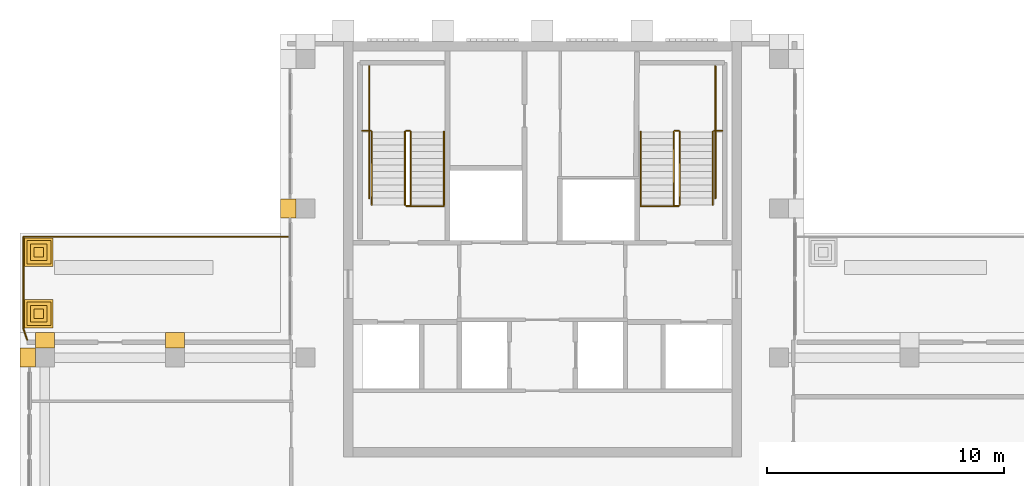
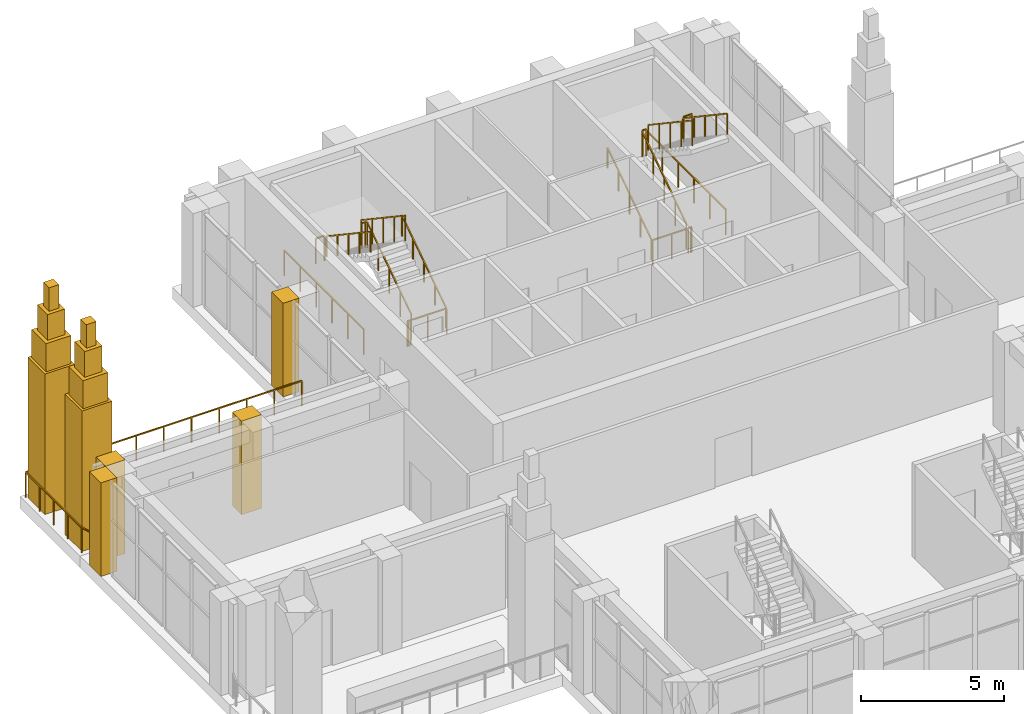
# One storey, part 12 of 14: 19 railings, 12 coverings.
"""IFC4 building model written with IfcOpenShell, lengths in metres."""

import ifcopenshell
import ifcopenshell.guid

model = None  # the IFC model being written
_history = None  # IfcOwnerHistory: only IFC2X3 demands one
_inside = {}  # id of a spatial element -> (the spatial element, [elements in it])
_under = {}  # id of a project, library or spatial element -> (it, [spatial elements below it])
_declared = {}  # id of a project -> (the project, [libraries it declares])
_typed = {}  # id of a type object -> (the type object, [elements of that type])
_made_of = {}  # id of a material, layer set ... -> (it, [elements and type objects made of it])


def new_model(schema):
    """Start an empty IFC model of exactly this schema.

    Asked for "IFC4X3", IfcOpenShell would pick the latest addendum, in which some entities
    have other attributes; the version numbers below select the first issue.
    IFC2X3 requires an IfcOwnerHistory on every rooted entity: one is made here for all.
    """
    global model, _history
    if schema == "IFC4X3":
        model = ifcopenshell.file(schema_version=(4, 3, 0, 0))
    else:
        model = ifcopenshell.file(schema=schema)
    _inside.clear()
    _under.clear()
    _declared.clear()
    _typed.clear()
    _made_of.clear()
    _history = None
    if model.schema == "IFC2X3":
        org = make("IfcOrganization", Name="unknown")
        user = make(
            "IfcPersonAndOrganization",
            ThePerson=make("IfcPerson", FamilyName="unknown"),
            TheOrganization=org,
        )
        app = make(
            "IfcApplication",
            ApplicationDeveloper=org,
            Version="unknown",
            ApplicationFullName="unknown",
            ApplicationIdentifier="unknown",
        )
        _history = make(
            "IfcOwnerHistory",
            OwningUser=user,
            OwningApplication=app,
            ChangeAction="ADDED",
            CreationDate=0,
        )
    return model


def make(cls, **values):
    """One entity of the class cls with the attributes given. An attribute that is None is left unset."""
    return model.create_entity(
        cls, **{name: value for name, value in values.items() if value is not None}
    )


def rooted(cls, **values):
    """An entity with a GlobalId (a new one), such as an element, a storey or a relation."""
    return make(cls, GlobalId=ifcopenshell.guid.new(), OwnerHistory=_history, **values)


def si_unit(unit_type, name, prefix=None):
    """IfcSIUnit, for example si_unit("LENGTHUNIT", "METRE", prefix="MILLI")."""
    return make("IfcSIUnit", UnitType=unit_type, Prefix=prefix, Name=name)


def assignment(units):
    """IfcUnitAssignment: the units of a project."""
    return None if units is None else make("IfcUnitAssignment", Units=units)


def point(xyz):
    """IfcCartesianPoint."""
    return None if xyz is None else make("IfcCartesianPoint", Coordinates=xyz)


def direction(xyz):
    """IfcDirection."""
    return None if xyz is None else make("IfcDirection", DirectionRatios=xyz)


def frame(location, z_axis=None, x_axis=None):
    """IfcAxis2Placement3D, a coordinate frame: its origin and axes. An axis left out is left unset."""
    return make(
        "IfcAxis2Placement3D",
        Location=point(location),
        Axis=direction(z_axis),
        RefDirection=direction(x_axis),
    )


def frame_2d(location, x_axis=None):
    """IfcAxis2Placement2D, a coordinate frame in the plane: its origin and x axis."""
    return make(
        "IfcAxis2Placement2D", Location=point(location), RefDirection=direction(x_axis)
    )


def origin():
    """The frame at (0, 0, 0) with its axes left unset."""
    return frame((0.0, 0.0, 0.0))


def origin_2d():
    """The frame at (0, 0) in the plane with its x axis left unset."""
    return frame_2d((0.0, 0.0))


def place(relative_to, where):
    """IfcLocalPlacement: puts the frame where relative to a parent placement (None: the world)."""
    return make(
        "IfcLocalPlacement", PlacementRelTo=relative_to, RelativePlacement=where
    )


def context(
    kind, dimensions, precision=None, world=None, true_north=None, identifier=None
):
    """IfcGeometricRepresentationContext, for example the 3D "Model" context."""
    return make(
        "IfcGeometricRepresentationContext",
        ContextIdentifier=identifier,
        ContextType=kind,
        CoordinateSpaceDimension=dimensions,
        Precision=precision,
        WorldCoordinateSystem=world,
        TrueNorth=true_north,
    )


def subcontext(parent, identifier, kind, view, scale=None):
    """IfcGeometricRepresentationSubContext, for example "Body" below "Model"."""
    return make(
        "IfcGeometricRepresentationSubContext",
        ContextIdentifier=identifier,
        ContextType=kind,
        ParentContext=parent,
        TargetScale=scale,
        TargetView=view,
    )


def project(units=None, contexts=None):
    """IfcProject with its units and contexts."""
    return rooted(
        "IfcProject",
        Name="project",
        RepresentationContexts=contexts,
        UnitsInContext=assignment(units),
    )


def spatial(cls, under=None, at=None, **own):
    """A site, building, storey or space (cls), placed at a placement, below another one or the project."""
    s = rooted(cls, ObjectPlacement=at, **own)
    if under is not None:
        _under.setdefault(under.id(), (under, []))[1].append(s)
    return s


def polyline(points):
    """IfcPolyline through the points."""
    return make("IfcPolyline", Points=[point(p) for p in points])


def profile(cls, at=None, kind="AREA", **sizes):
    """A parametric profile (cls). Its sizes go by their IFC names, for example OverallWidth=200.0."""
    return make(cls, ProfileType=kind, Position=at, **sizes)


def rectangle(**sizes):
    """IfcRectangleProfileDef."""
    return profile("IfcRectangleProfileDef", **sizes)


def outline(outer, holes=None, kind="AREA"):
    """IfcArbitraryClosedProfileDef: a profile drawn as a closed curve; with holes, ...WithVoids."""
    if holes is None:
        return make("IfcArbitraryClosedProfileDef", ProfileType=kind, OuterCurve=outer)
    return make(
        "IfcArbitraryProfileDefWithVoids",
        ProfileType=kind,
        OuterCurve=outer,
        InnerCurves=holes,
    )


def extrude(swept, where, along, depth):
    """IfcExtrudedAreaSolid: the profile swept, set in the frame where, extruded along a direction by depth."""
    return make(
        "IfcExtrudedAreaSolid",
        SweptArea=swept,
        Position=where,
        ExtrudedDirection=direction(along),
        Depth=depth,
    )


def shape(context_of_items, identifier, shape_type, items):
    """IfcShapeRepresentation: the items that make up one representation, for example the "Body"."""
    return make(
        "IfcShapeRepresentation",
        ContextOfItems=context_of_items,
        RepresentationIdentifier=identifier,
        RepresentationType=shape_type,
        Items=items,
    )


def material(Name=None, Category=None):
    """IfcMaterial."""
    return make("IfcMaterial", Name=Name, Category=Category)


def made_of(thing, what):
    """Note that an element or type object is made of a material, layer set ...; save() writes the relation."""
    if what is not None:
        _made_of.setdefault(what.id(), (what, []))[1].append(thing)
    return thing


def type_object(cls, material=None, **own):
    """A type object (cls), such as IfcWallType, which elements share."""
    return made_of(rooted(cls, **own), material)


def element(
    cls,
    number,
    at=None,
    inside=None,
    cuts=None,
    type_object=None,
    material=None,
    context=None,
    identifier="Body",
    shape_type=None,
    held_by="IfcProductDefinitionShape",
    body=None,
    shapes=None,
    **own,
):
    """One element of the class cls, such as IfcWall. Its Tag is "e" and its number.

    at: its placement. inside: the storey or other place that contains it. cuts: it is an
    opening in that element (IfcRelVoidsElement). A single representation is given by context,
    identifier, shape_type and body (its items); several are given by shapes. held_by: the class
    of the entity that holds the representations. save() writes the other relations.
    """
    e = rooted(cls, Tag="e%d" % number, ObjectPlacement=at, **own)
    if body is not None:
        shapes = [shape(context, identifier, shape_type, body)]
    if shapes is not None:
        e.Representation = make(held_by, Representations=shapes)
    if inside is not None:
        _inside.setdefault(inside.id(), (inside, []))[1].append(e)
    if cuts is not None:
        rooted(
            "IfcRelVoidsElement", RelatingBuildingElement=cuts, RelatedOpeningElement=e
        )
    if type_object is not None:
        _typed.setdefault(type_object.id(), (type_object, []))[1].append(e)
    return made_of(e, material)


def aggregate(whole, parts):
    """IfcRelAggregates: a whole, such as a stair, and the parts it consists of."""
    return rooted("IfcRelAggregates", RelatingObject=whole, RelatedObjects=parts)


def save(model, path):
    """Write the relations noted so far, then the file.

    IfcRelAggregates (storeys below a building ...), IfcRelContainedInSpatialStructure (elements
    in a storey), IfcRelDefinesByType, IfcRelAssociatesMaterial and IfcRelDeclares: one each for
    every whole, place, type object, material and project.
    """
    for whole, parts in _under.values():
        aggregate(whole, parts)
    for where, things in _inside.values():
        rooted(
            "IfcRelContainedInSpatialStructure",
            RelatedElements=things,
            RelatingStructure=where,
        )
    for kind, things in _typed.values():
        rooted("IfcRelDefinesByType", RelatedObjects=things, RelatingType=kind)
    for what, things in _made_of.values():
        rooted("IfcRelAssociatesMaterial", RelatedObjects=things, RelatingMaterial=what)
    for by, libraries in _declared.values():
        rooted("IfcRelDeclares", RelatingContext=by, RelatedDefinitions=libraries)
    model.write(path)


model = new_model("IFC4")

# Units and contexts
model_context = context("Model", 3, precision=1e-05, world=origin(), true_north=direction((0.0, 1.0)))
body_context = subcontext(model_context, "Body", "Model", "MODEL_VIEW")
ifc_project = project(units=[si_unit("LENGTHUNIT", "METRE"), si_unit("AREAUNIT", "SQUARE_METRE"), si_unit("VOLUMEUNIT", "CUBIC_METRE"), si_unit("PLANEANGLEUNIT", "RADIAN"), si_unit("MASSUNIT", "GRAM", prefix="KILO")], contexts=[model_context])

# Site, building, storey
site_placement = place(None, origin())
site = spatial("IfcSite", under=ifc_project, at=site_placement, CompositionType="ELEMENT")
building_placement = place(site_placement, origin())
building = spatial("IfcBuilding", under=site, at=building_placement, Name="Vermilion Ogive Tower", CompositionType="ELEMENT")
storey_placement = place(building_placement, frame((0.0, 0.0, 284.85009765625)))
storey = spatial("IfcBuildingStorey", under=building, at=storey_placement, Name="L74", CompositionType="ELEMENT", Elevation=284.85009765625)

# Railings
ifc_material_1 = material(Name="Steel S355 painted", Category="steel")
railing_type_1 = type_object("IfcRailingType", Name="Stair guard 1100", PredefinedType="GUARDRAIL", material=ifc_material_1)
railing_1_placement = place(storey_placement, frame((-5.550048828125, 14.85009765625, 0.1875)))
element("IfcRailing", 1, at=railing_1_placement, inside=storey, type_object=railing_type_1, Name="L74 ST1 stair guard 1", PredefinedType="GUARDRAIL", context=body_context, shape_type="SweptSolid", body=[
    extrude(rectangle(XDim=0.048095703125, YDim=0.048095703125, at=origin_2d()), frame((0.0, 0.0, 1.076171875), z_axis=(0.0, 0.830893310487, 0.556431762742), x_axis=(-1.0, 0.0, 0.0)), (0.0, 0.0, 1.0), 3.70654296875),
    extrude(rectangle(XDim=0.048095703125, YDim=0.048095703125, at=origin_2d()), frame((0.0, 3.079833984375, 3.138671875), z_axis=(-0.707106781187, 0.707106781187, 0.0), x_axis=(-0.707106781187, -0.707106781187, 0.0)), (0.0, 0.0, 1.0), 0.07080078125),
    extrude(rectangle(XDim=0.048095703125, YDim=0.048095703125, at=origin_2d()), frame((-0.050048828125, 3.1298828125, 3.138671875), z_axis=(-1.0, 0.0, 0.0), x_axis=(0.0, -1.0, 0.0)), (0.0, 0.0, 1.0), 0.14990234375),
    extrude(rectangle(XDim=0.0419921875, YDim=0.0419921875, at=origin_2d()), origin(), (0.0, 0.0, 1.0), 1.052001953125),
    extrude(rectangle(XDim=0.0419921875, YDim=0.0419921875, at=origin_2d()), frame((0.0, 0.77001953125, 0.515625)), (0.0, 0.0, 1.0), 1.052001953125),
    extrude(rectangle(XDim=0.0419921875, YDim=0.0419921875, at=origin_2d()), frame((0.0, 1.5400390625, 1.03125)), (0.0, 0.0, 1.0), 1.052001953125),
    extrude(rectangle(XDim=0.0419921875, YDim=0.0419921875, at=origin_2d()), frame((0.0, 2.309814453125, 1.546875)), (0.0, 0.0, 1.0), 1.052001953125),
    extrude(rectangle(XDim=0.0419921875, YDim=0.0419921875, at=origin_2d()), frame((0.0, 3.079833984375, 2.0625)), (0.0, 0.0, 1.0), 1.052001953125),
    extrude(rectangle(XDim=0.0419921875, YDim=0.0419921875, at=origin_2d()), frame((-0.050048828125, 3.1298828125, 2.0625)), (0.0, 0.0, 1.0), 1.052001953125),
    extrude(rectangle(XDim=0.0419921875, YDim=0.0419921875, at=origin_2d()), frame((-0.199951171875, 3.1298828125, 2.0625)), (0.0, 0.0, 1.0), 1.052001953125),
])
railing_2_placement = place(storey_placement, frame((-5.800048828125, 17.929931640625, 2.4375)))
element("IfcRailing", 2, at=railing_2_placement, inside=storey, type_object=railing_type_1, Name="L74 ST1 stair guard 3", PredefinedType="GUARDRAIL", context=body_context, shape_type="SweptSolid", body=[
    extrude(rectangle(XDim=0.048095703125, YDim=0.048095703125, at=origin_2d()), frame((0.0, 0.0, 1.076171875), z_axis=(0.0, -0.830893310487, 0.556431762742), x_axis=(1.0, 0.0, 0.0)), (0.0, 0.0, 1.0), 3.70654296875),
    extrude(rectangle(XDim=0.0419921875, YDim=0.0419921875, at=origin_2d()), origin(), (0.0, 0.0, 1.0), 1.052001953125),
    extrude(rectangle(XDim=0.0419921875, YDim=0.0419921875, at=origin_2d()), frame((0.0, -0.77001953125, 0.515625)), (0.0, 0.0, 1.0), 1.052001953125),
    extrude(rectangle(XDim=0.0419921875, YDim=0.0419921875, at=origin_2d()), frame((0.0, -1.5400390625, 1.03125)), (0.0, 0.0, 1.0), 1.052001953125),
    extrude(rectangle(XDim=0.0419921875, YDim=0.0419921875, at=origin_2d()), frame((0.0, -2.309814453125, 1.546875)), (0.0, 0.0, 1.0), 1.052001953125),
    extrude(rectangle(XDim=0.0419921875, YDim=0.0419921875, at=origin_2d()), frame((0.0, -3.079833984375, 2.0625)), (0.0, 0.0, 1.0), 1.052001953125),
])
railing_3_placement = place(storey_placement, frame((-5.60009765625, 14.800048828125, 0.0)))
element("IfcRailing", 3, at=railing_3_placement, inside=storey, type_object=railing_type_1, Name="L74 ST1 stair guard 4", PredefinedType="GUARDRAIL", context=body_context, shape_type="SweptSolid", body=[
    extrude(rectangle(XDim=0.048095703125, YDim=0.048095703125, at=origin_2d()), frame((0.0, 0.0, 1.076171875), z_axis=(-1.0, 0.0, 0.0), x_axis=(0.0, -1.0, 0.0)), (0.0, 0.0, 1.0), 0.14990234375),
    extrude(rectangle(XDim=0.0419921875, YDim=0.0419921875, at=origin_2d()), origin(), (0.0, 0.0, 1.0), 1.052001953125),
    extrude(rectangle(XDim=0.0419921875, YDim=0.0419921875, at=origin_2d()), frame((-0.14990234375, 0.0, 0.0)), (0.0, 0.0, 1.0), 1.052001953125),
])
railing_4_placement = place(storey_placement, frame((5.550048828125, 14.85009765625, 0.1875)))
element("IfcRailing", 4, at=railing_4_placement, inside=storey, type_object=railing_type_1, Name="L74 ST2 stair guard 1", PredefinedType="GUARDRAIL", context=body_context, shape_type="SweptSolid", body=[
    extrude(rectangle(XDim=0.048095703125, YDim=0.048095703125, at=origin_2d()), frame((0.0, 0.0, 1.076171875), z_axis=(0.0, 0.830893310487, 0.556431762742), x_axis=(-1.0, 0.0, 0.0)), (0.0, 0.0, 1.0), 3.70654296875),
    extrude(rectangle(XDim=0.048095703125, YDim=0.048095703125, at=origin_2d()), frame((0.0, 3.079833984375, 3.138671875), z_axis=(0.707106781187, 0.707106781187, 0.0), x_axis=(-0.707106781187, 0.707106781187, 0.0)), (0.0, 0.0, 1.0), 0.07080078125),
    extrude(rectangle(XDim=0.048095703125, YDim=0.048095703125, at=origin_2d()), frame((0.050048828125, 3.1298828125, 3.138671875), z_axis=(1.0, 0.0, 0.0), x_axis=(0.0, 1.0, 0.0)), (0.0, 0.0, 1.0), 0.14990234375),
    extrude(rectangle(XDim=0.0419921875, YDim=0.0419921875, at=origin_2d()), origin(), (0.0, 0.0, 1.0), 1.052001953125),
    extrude(rectangle(XDim=0.0419921875, YDim=0.0419921875, at=origin_2d()), frame((0.0, 0.77001953125, 0.515625)), (0.0, 0.0, 1.0), 1.052001953125),
    extrude(rectangle(XDim=0.0419921875, YDim=0.0419921875, at=origin_2d()), frame((0.0, 1.5400390625, 1.03125)), (0.0, 0.0, 1.0), 1.052001953125),
    extrude(rectangle(XDim=0.0419921875, YDim=0.0419921875, at=origin_2d()), frame((0.0, 2.309814453125, 1.546875)), (0.0, 0.0, 1.0), 1.052001953125),
    extrude(rectangle(XDim=0.0419921875, YDim=0.0419921875, at=origin_2d()), frame((0.0, 3.079833984375, 2.0625)), (0.0, 0.0, 1.0), 1.052001953125),
    extrude(rectangle(XDim=0.0419921875, YDim=0.0419921875, at=origin_2d()), frame((0.050048828125, 3.1298828125, 2.0625)), (0.0, 0.0, 1.0), 1.052001953125),
    extrude(rectangle(XDim=0.0419921875, YDim=0.0419921875, at=origin_2d()), frame((0.199951171875, 3.1298828125, 2.0625)), (0.0, 0.0, 1.0), 1.052001953125),
])
railing_5_placement = place(storey_placement, frame((5.800048828125, 17.929931640625, 2.4375)))
element("IfcRailing", 5, at=railing_5_placement, inside=storey, type_object=railing_type_1, Name="L74 ST2 stair guard 3", PredefinedType="GUARDRAIL", context=body_context, shape_type="SweptSolid", body=[
    extrude(rectangle(XDim=0.048095703125, YDim=0.048095703125, at=origin_2d()), frame((0.0, 0.0, 1.076171875), z_axis=(0.0, -0.830893310487, 0.556431762742), x_axis=(1.0, 0.0, 0.0)), (0.0, 0.0, 1.0), 3.70654296875),
    extrude(rectangle(XDim=0.0419921875, YDim=0.0419921875, at=origin_2d()), origin(), (0.0, 0.0, 1.0), 1.052001953125),
    extrude(rectangle(XDim=0.0419921875, YDim=0.0419921875, at=origin_2d()), frame((0.0, -0.77001953125, 0.515625)), (0.0, 0.0, 1.0), 1.052001953125),
    extrude(rectangle(XDim=0.0419921875, YDim=0.0419921875, at=origin_2d()), frame((0.0, -1.5400390625, 1.03125)), (0.0, 0.0, 1.0), 1.052001953125),
    extrude(rectangle(XDim=0.0419921875, YDim=0.0419921875, at=origin_2d()), frame((0.0, -2.309814453125, 1.546875)), (0.0, 0.0, 1.0), 1.052001953125),
    extrude(rectangle(XDim=0.0419921875, YDim=0.0419921875, at=origin_2d()), frame((0.0, -3.079833984375, 2.0625)), (0.0, 0.0, 1.0), 1.052001953125),
])
railing_6_placement = place(storey_placement, frame((5.60009765625, 14.800048828125, 0.0)))
element("IfcRailing", 6, at=railing_6_placement, inside=storey, type_object=railing_type_1, Name="L74 ST2 stair guard 4", PredefinedType="GUARDRAIL", context=body_context, shape_type="SweptSolid", body=[
    extrude(rectangle(XDim=0.048095703125, YDim=0.048095703125, at=origin_2d()), frame((0.0, 0.0, 1.076171875), z_axis=(1.0, 0.0, 0.0), x_axis=(0.0, 1.0, 0.0)), (0.0, 0.0, 1.0), 0.14990234375),
    extrude(rectangle(XDim=0.0419921875, YDim=0.0419921875, at=origin_2d()), origin(), (0.0, 0.0, 1.0), 1.052001953125),
    extrude(rectangle(XDim=0.0419921875, YDim=0.0419921875, at=origin_2d()), frame((0.14990234375, 0.0, 0.0)), (0.0, 0.0, 1.0), 1.052001953125),
])
for number, where, name in (
    (7, (-7.60009765625, 17.97998046875, 2.25), "L74 landing guard"),
    (8, (7.25, 17.97998046875, 2.25), "L74 landing guard"),
):
    element("IfcRailing", number, at=place(storey_placement, frame(where)), inside=storey, type_object=railing_type_1, Name=name, PredefinedType="GUARDRAIL", context=body_context, shape_type="SweptSolid", body=[
        extrude(rectangle(XDim=0.048095703125, YDim=0.048095703125, at=origin_2d()), frame((0.0, 0.0, 1.076171875), z_axis=(1.0, 0.0, 0.0), x_axis=(0.0, 1.0, 0.0)), (0.0, 0.0, 1.0), 0.35009765625),
        extrude(rectangle(XDim=0.0419921875, YDim=0.0419921875, at=origin_2d()), origin(), (0.0, 0.0, 1.0), 1.052001953125),
        extrude(rectangle(XDim=0.0419921875, YDim=0.0419921875, at=origin_2d()), frame((0.35009765625, 0.0, 0.0)), (0.0, 0.0, 1.0), 1.052001953125),
    ])
railing_7_placement = place(storey_placement, frame((-7.31005859375, 20.68994140625, 0.0)))
element("IfcRailing", 9, at=railing_7_placement, inside=storey, type_object=railing_type_1, Name="L74 stair opening guard", PredefinedType="GUARDRAIL", context=body_context, shape_type="SweptSolid", body=[
    extrude(rectangle(XDim=0.048095703125, YDim=0.048095703125, at=origin_2d()), frame((0.0, 0.0, 1.076171875), z_axis=(0.0, -1.0, 0.0), x_axis=(1.0, 0.0, 0.0)), (0.0, 0.0, 1.0), 5.564208984375),
    extrude(rectangle(XDim=0.0419921875, YDim=0.0419921875, at=origin_2d()), origin(), (0.0, 0.0, 1.0), 1.052001953125),
    extrude(rectangle(XDim=0.0419921875, YDim=0.0419921875, at=origin_2d()), frame((0.0, -1.11279296875, 0.0)), (0.0, 0.0, 1.0), 1.052001953125),
    extrude(rectangle(XDim=0.0419921875, YDim=0.0419921875, at=origin_2d()), frame((0.0, -2.2255859375, 0.0)), (0.0, 0.0, 1.0), 1.052001953125),
    extrude(rectangle(XDim=0.0419921875, YDim=0.0419921875, at=origin_2d()), frame((0.0, -3.338623046875, 0.0)), (0.0, 0.0, 1.0), 1.052001953125),
    extrude(rectangle(XDim=0.0419921875, YDim=0.0419921875, at=origin_2d()), frame((0.0, -4.451416015625, 0.0)), (0.0, 0.0, 1.0), 1.052001953125),
    extrude(rectangle(XDim=0.0419921875, YDim=0.0419921875, at=origin_2d()), frame((0.0, -5.564208984375, 0.0)), (0.0, 0.0, 1.0), 1.052001953125),
])
railing_8_placement = place(storey_placement, frame((-5.699951171875, 14.7900390625, 0.0)))
element("IfcRailing", 10, at=railing_8_placement, inside=storey, type_object=railing_type_1, Name="L74 stair opening guard", PredefinedType="GUARDRAIL", context=body_context, shape_type="SweptSolid", body=[
    extrude(rectangle(XDim=0.048095703125, YDim=0.048095703125, at=origin_2d()), frame((0.0, 0.0, 1.076171875), z_axis=(1.0, 0.0, 0.0), x_axis=(0.0, 1.0, 0.0)), (0.0, 0.0, 1.0), 1.5400390625),
    extrude(rectangle(XDim=0.0419921875, YDim=0.0419921875, at=origin_2d()), origin(), (0.0, 0.0, 1.0), 1.052001953125),
    extrude(rectangle(XDim=0.0419921875, YDim=0.0419921875, at=origin_2d()), frame((0.77001953125, 0.0, 0.0)), (0.0, 0.0, 1.0), 1.052001953125),
    extrude(rectangle(XDim=0.0419921875, YDim=0.0419921875, at=origin_2d()), frame((1.5400390625, 0.0, 0.0)), (0.0, 0.0, 1.0), 1.052001953125),
])
railing_9_placement = place(storey_placement, frame((7.31005859375, 15.125732421875, 0.0)))
element("IfcRailing", 11, at=railing_9_placement, inside=storey, type_object=railing_type_1, Name="L74 stair opening guard", PredefinedType="GUARDRAIL", context=body_context, shape_type="SweptSolid", body=[
    extrude(rectangle(XDim=0.048095703125, YDim=0.048095703125, at=origin_2d()), frame((0.0, 0.0, 1.076171875), z_axis=(0.0, 1.0, 0.0), x_axis=(-1.0, 0.0, 0.0)), (0.0, 0.0, 1.0), 5.564208984375),
    extrude(rectangle(XDim=0.0419921875, YDim=0.0419921875, at=origin_2d()), origin(), (0.0, 0.0, 1.0), 1.052001953125),
    extrude(rectangle(XDim=0.0419921875, YDim=0.0419921875, at=origin_2d()), frame((0.0, 1.11279296875, 0.0)), (0.0, 0.0, 1.0), 1.052001953125),
    extrude(rectangle(XDim=0.0419921875, YDim=0.0419921875, at=origin_2d()), frame((0.0, 2.2255859375, 0.0)), (0.0, 0.0, 1.0), 1.052001953125),
    extrude(rectangle(XDim=0.0419921875, YDim=0.0419921875, at=origin_2d()), frame((0.0, 3.338623046875, 0.0)), (0.0, 0.0, 1.0), 1.052001953125),
    extrude(rectangle(XDim=0.0419921875, YDim=0.0419921875, at=origin_2d()), frame((0.0, 4.451416015625, 0.0)), (0.0, 0.0, 1.0), 1.052001953125),
    extrude(rectangle(XDim=0.0419921875, YDim=0.0419921875, at=origin_2d()), frame((0.0, 5.564208984375, 0.0)), (0.0, 0.0, 1.0), 1.052001953125),
])
railing_10_placement = place(storey_placement, frame((4.159912109375, 14.7900390625, 0.0)))
element("IfcRailing", 12, at=railing_10_placement, inside=storey, type_object=railing_type_1, Name="L74 stair opening guard", PredefinedType="GUARDRAIL", context=body_context, shape_type="SweptSolid", body=[
    extrude(rectangle(XDim=0.048095703125, YDim=0.048095703125, at=origin_2d()), frame((0.0, 0.0, 1.076171875), z_axis=(1.0, 0.0, 0.0), x_axis=(0.0, 1.0, 0.0)), (0.0, 0.0, 1.0), 1.5400390625),
    extrude(rectangle(XDim=0.0419921875, YDim=0.0419921875, at=origin_2d()), origin(), (0.0, 0.0, 1.0), 1.052001953125),
    extrude(rectangle(XDim=0.0419921875, YDim=0.0419921875, at=origin_2d()), frame((0.77001953125, 0.0, 0.0)), (0.0, 0.0, 1.0), 1.052001953125),
    extrude(rectangle(XDim=0.0419921875, YDim=0.0419921875, at=origin_2d()), frame((1.5400390625, 0.0, 0.0)), (0.0, 0.0, 1.0), 1.052001953125),
])
ifc_material_2 = material(Name="Stainless steel", Category="steel")
railing_type_2 = type_object("IfcRailingType", Name="Stair handrail 900", PredefinedType="HANDRAIL", material=ifc_material_2)
railing_11_placement = place(storey_placement, frame((-4.14990234375, 14.85009765625, 0.1875)))
element("IfcRailing", 13, at=railing_11_placement, inside=storey, type_object=railing_type_2, Name="L74 ST1 stair handrail 1", PredefinedType="HANDRAIL", context=body_context, shape_type="SweptSolid", body=[
    extrude(rectangle(XDim=0.048095703125, YDim=0.048095703125, at=origin_2d()), frame((0.0, 0.0, 0.8759765625), z_axis=(0.0, 0.830893310487, 0.556431762742), x_axis=(-1.0, 0.0, 0.0)), (0.0, 0.0, 1.0), 3.70654296875),
    extrude(rectangle(XDim=0.0419921875, YDim=0.0419921875, at=origin_2d()), origin(), (0.0, 0.0, 1.0), 0.851806640625),
    extrude(rectangle(XDim=0.0419921875, YDim=0.0419921875, at=origin_2d()), frame((0.0, 0.77001953125, 0.515625)), (0.0, 0.0, 1.0), 0.851806640625),
    extrude(rectangle(XDim=0.0419921875, YDim=0.0419921875, at=origin_2d()), frame((0.0, 1.5400390625, 1.03125)), (0.0, 0.0, 1.0), 0.851806640625),
    extrude(rectangle(XDim=0.0419921875, YDim=0.0419921875, at=origin_2d()), frame((0.0, 2.309814453125, 1.546875)), (0.0, 0.0, 1.0), 0.851806640625),
    extrude(rectangle(XDim=0.0419921875, YDim=0.0419921875, at=origin_2d()), frame((0.0, 3.079833984375, 2.0625)), (0.0, 0.0, 1.0), 0.851806640625),
])
railing_12_placement = place(storey_placement, frame((-7.199951171875, 17.929931640625, 2.4375)))
element("IfcRailing", 14, at=railing_12_placement, inside=storey, type_object=railing_type_2, Name="L74 ST1 stair handrail 2", PredefinedType="HANDRAIL", context=body_context, shape_type="SweptSolid", body=[
    extrude(rectangle(XDim=0.048095703125, YDim=0.048095703125, at=origin_2d()), frame((0.0, 0.0, 0.8759765625), z_axis=(0.0, -0.830893310487, 0.556431762742), x_axis=(1.0, 0.0, 0.0)), (0.0, 0.0, 1.0), 3.70654296875),
    extrude(rectangle(XDim=0.0419921875, YDim=0.0419921875, at=origin_2d()), origin(), (0.0, 0.0, 1.0), 0.851806640625),
    extrude(rectangle(XDim=0.0419921875, YDim=0.0419921875, at=origin_2d()), frame((0.0, -0.77001953125, 0.515625)), (0.0, 0.0, 1.0), 0.851806640625),
    extrude(rectangle(XDim=0.0419921875, YDim=0.0419921875, at=origin_2d()), frame((0.0, -1.5400390625, 1.03125)), (0.0, 0.0, 1.0), 0.851806640625),
    extrude(rectangle(XDim=0.0419921875, YDim=0.0419921875, at=origin_2d()), frame((0.0, -2.309814453125, 1.546875)), (0.0, 0.0, 1.0), 0.851806640625),
    extrude(rectangle(XDim=0.0419921875, YDim=0.0419921875, at=origin_2d()), frame((0.0, -3.079833984375, 2.0625)), (0.0, 0.0, 1.0), 0.851806640625),
])
railing_13_placement = place(storey_placement, frame((4.14990234375, 14.85009765625, 0.1875)))
element("IfcRailing", 15, at=railing_13_placement, inside=storey, type_object=railing_type_2, Name="L74 ST2 stair handrail 1", PredefinedType="HANDRAIL", context=body_context, shape_type="SweptSolid", body=[
    extrude(rectangle(XDim=0.048095703125, YDim=0.048095703125, at=origin_2d()), frame((0.0, 0.0, 0.8759765625), z_axis=(0.0, 0.830893310487, 0.556431762742), x_axis=(-1.0, 0.0, 0.0)), (0.0, 0.0, 1.0), 3.70654296875),
    extrude(rectangle(XDim=0.0419921875, YDim=0.0419921875, at=origin_2d()), origin(), (0.0, 0.0, 1.0), 0.851806640625),
    extrude(rectangle(XDim=0.0419921875, YDim=0.0419921875, at=origin_2d()), frame((0.0, 0.77001953125, 0.515625)), (0.0, 0.0, 1.0), 0.851806640625),
    extrude(rectangle(XDim=0.0419921875, YDim=0.0419921875, at=origin_2d()), frame((0.0, 1.5400390625, 1.03125)), (0.0, 0.0, 1.0), 0.851806640625),
    extrude(rectangle(XDim=0.0419921875, YDim=0.0419921875, at=origin_2d()), frame((0.0, 2.309814453125, 1.546875)), (0.0, 0.0, 1.0), 0.851806640625),
    extrude(rectangle(XDim=0.0419921875, YDim=0.0419921875, at=origin_2d()), frame((0.0, 3.079833984375, 2.0625)), (0.0, 0.0, 1.0), 0.851806640625),
])
railing_14_placement = place(storey_placement, frame((7.199951171875, 17.929931640625, 2.4375)))
element("IfcRailing", 16, at=railing_14_placement, inside=storey, type_object=railing_type_2, Name="L74 ST2 stair handrail 2", PredefinedType="HANDRAIL", context=body_context, shape_type="SweptSolid", body=[
    extrude(rectangle(XDim=0.048095703125, YDim=0.048095703125, at=origin_2d()), frame((0.0, 0.0, 0.8759765625), z_axis=(0.0, -0.830893310487, 0.556431762742), x_axis=(1.0, 0.0, 0.0)), (0.0, 0.0, 1.0), 3.70654296875),
    extrude(rectangle(XDim=0.0419921875, YDim=0.0419921875, at=origin_2d()), origin(), (0.0, 0.0, 1.0), 0.851806640625),
    extrude(rectangle(XDim=0.0419921875, YDim=0.0419921875, at=origin_2d()), frame((0.0, -0.77001953125, 0.515625)), (0.0, 0.0, 1.0), 0.851806640625),
    extrude(rectangle(XDim=0.0419921875, YDim=0.0419921875, at=origin_2d()), frame((0.0, -1.5400390625, 1.03125)), (0.0, 0.0, 1.0), 0.851806640625),
    extrude(rectangle(XDim=0.0419921875, YDim=0.0419921875, at=origin_2d()), frame((0.0, -2.309814453125, 1.546875)), (0.0, 0.0, 1.0), 0.851806640625),
    extrude(rectangle(XDim=0.0419921875, YDim=0.0419921875, at=origin_2d()), frame((0.0, -3.079833984375, 2.0625)), (0.0, 0.0, 1.0), 0.851806640625),
])

# Coverings
ifc_material_3 = material(Name="Stone cladding", Category="masonry")
covering_type_1 = type_object("IfcCoveringType", Name="Stone pier", PredefinedType="CLADDING", material=ifc_material_3)
covering_1_placement = place(storey_placement, origin())
element("IfcCovering", 17, at=covering_1_placement, inside=storey, type_object=covering_type_1, Name="Stone pier P-0100+147", PredefinedType="CLADDING", context=body_context, shape_type="SweptSolid", body=[
    extrude(outline(polyline([(-11.050048828125, 14.300048828125), (-11.050048828125, 15.10009765625), (-10.39990234375, 15.10009765625), (-10.39990234375, 14.300048828125), (-11.050048828125, 14.300048828125)])), origin(), (0.0, 0.0, 1.0), 4.0),
])
covering_2_placement = place(storey_placement, origin())
element("IfcCovering", 18, at=covering_2_placement, inside=storey, type_object=covering_type_1, Name="Stone pier P-0155+084", PredefinedType="CLADDING", context=body_context, shape_type="SweptSolid", body=[
    extrude(outline(polyline([(-15.89990234375, 9.449951171875), (-15.10009765625, 9.449951171875), (-15.10009765625, 8.800048828125), (-15.89990234375, 8.800048828125), (-15.89990234375, 9.449951171875)])), origin(), (0.0, 0.0, 1.0), 4.0),
])
covering_3_placement = place(storey_placement, origin())
element("IfcCovering", 19, at=covering_3_placement, inside=storey, type_object=covering_type_1, Name="Stone pier P-0210+084X6", PredefinedType="CLADDING", context=body_context, shape_type="SweptSolid", body=[
    extrude(outline(polyline([(-21.39990234375, 9.449951171875), (-20.60009765625, 9.449951171875), (-20.60009765625, 8.800048828125), (-21.39990234375, 8.800048828125), (-21.39990234375, 9.449951171875)])), origin(), (0.0, 0.0, 1.0), 4.0),
])
covering_4_placement = place(storey_placement, origin())
element("IfcCovering", 20, at=covering_4_placement, inside=storey, type_object=covering_type_1, Name="Stone pier P-0210+084W", PredefinedType="CLADDING", context=body_context, shape_type="SweptSolid", body=[
    extrude(outline(polyline([(-22.050048828125, 8.800048828125), (-21.39990234375, 8.800048828125), (-21.39990234375, 8.0), (-22.050048828125, 8.0), (-22.050048828125, 8.800048828125)])), origin(), (0.0, 0.0, 1.0), 4.0),
])
ifc_material_4 = material(Name="Stone cladding", Category="masonry")
covering_type_2 = type_object("IfcCoveringType", Name="Stone pinnacle", PredefinedType="CLADDING", material=ifc_material_4)
covering_5_placement = place(storey_placement, origin())
element("IfcCovering", 21, at=covering_5_placement, inside=storey, type_object=covering_type_2, Name="Stone pinnacle L742111A", PredefinedType="CLADDING", context=body_context, shape_type="SweptSolid", body=[
    extrude(outline(polyline([(-21.85009765625, 12.25), (-20.64990234375, 12.25), (-20.64990234375, 13.449951171875), (-21.85009765625, 13.449951171875), (-21.85009765625, 12.25)])), origin(), (0.0, 0.0, 1.0), 6.0),
])
covering_6_placement = place(storey_placement, frame((0.0, 0.0, 6.0)))
element("IfcCovering", 22, at=covering_6_placement, inside=storey, type_object=covering_type_2, Name="Stone pinnacle L742111B", PredefinedType="CLADDING", context=body_context, shape_type="SweptSolid", body=[
    extrude(outline(polyline([(-21.75, 12.35009765625), (-20.75, 12.35009765625), (-20.75, 13.35009765625), (-21.75, 13.35009765625), (-21.75, 12.35009765625)])), origin(), (0.0, 0.0, 1.0), 1.199951171875),
])
covering_7_placement = place(storey_placement, frame((0.0, 0.0, 7.199951171875)))
element("IfcCovering", 23, at=covering_7_placement, inside=storey, type_object=covering_type_2, Name="Stone pinnacle L742111C", PredefinedType="CLADDING", context=body_context, shape_type="SweptSolid", body=[
    extrude(outline(polyline([(-21.60009765625, 12.5), (-20.89990234375, 12.5), (-20.89990234375, 13.199951171875), (-21.60009765625, 13.199951171875), (-21.60009765625, 12.5)])), origin(), (0.0, 0.0, 1.0), 1.099853515625),
])
covering_8_placement = place(storey_placement, frame((0.0, 0.0, 8.2998046875)))
element("IfcCovering", 24, at=covering_8_placement, inside=storey, type_object=covering_type_2, Name="Stone pinnacle L742111D", PredefinedType="CLADDING", context=body_context, shape_type="SweptSolid", body=[
    extrude(outline(polyline([(-21.449951171875, 12.64990234375), (-21.050048828125, 12.64990234375), (-21.050048828125, 13.050048828125), (-21.449951171875, 13.050048828125), (-21.449951171875, 12.64990234375)])), origin(), (0.0, 0.0, 1.0), 1.0),
])
covering_9_placement = place(storey_placement, origin())
element("IfcCovering", 25, at=covering_9_placement, inside=storey, type_object=covering_type_2, Name="Stone pinnacle L742141A", PredefinedType="CLADDING", context=body_context, shape_type="SweptSolid", body=[
    extrude(outline(polyline([(-21.85009765625, 9.64990234375), (-20.64990234375, 9.64990234375), (-20.64990234375, 10.85009765625), (-21.85009765625, 10.85009765625), (-21.85009765625, 9.64990234375)])), origin(), (0.0, 0.0, 1.0), 6.0),
])
covering_10_placement = place(storey_placement, frame((0.0, 0.0, 6.0)))
element("IfcCovering", 26, at=covering_10_placement, inside=storey, type_object=covering_type_2, Name="Stone pinnacle L742141B", PredefinedType="CLADDING", context=body_context, shape_type="SweptSolid", body=[
    extrude(outline(polyline([(-21.75, 9.75), (-20.75, 9.75), (-20.75, 10.75), (-21.75, 10.75), (-21.75, 9.75)])), origin(), (0.0, 0.0, 1.0), 1.199951171875),
])
covering_11_placement = place(storey_placement, frame((0.0, 0.0, 7.199951171875)))
element("IfcCovering", 27, at=covering_11_placement, inside=storey, type_object=covering_type_2, Name="Stone pinnacle L742141C", PredefinedType="CLADDING", context=body_context, shape_type="SweptSolid", body=[
    extrude(outline(polyline([(-21.60009765625, 9.89990234375), (-20.89990234375, 9.89990234375), (-20.89990234375, 10.60009765625), (-21.60009765625, 10.60009765625), (-21.60009765625, 9.89990234375)])), origin(), (0.0, 0.0, 1.0), 1.099853515625),
])
covering_12_placement = place(storey_placement, frame((0.0, 0.0, 8.2998046875)))
element("IfcCovering", 28, at=covering_12_placement, inside=storey, type_object=covering_type_2, Name="Stone pinnacle L742141D", PredefinedType="CLADDING", context=body_context, shape_type="SweptSolid", body=[
    extrude(outline(polyline([(-21.449951171875, 10.050048828125), (-21.050048828125, 10.050048828125), (-21.050048828125, 10.449951171875), (-21.449951171875, 10.449951171875), (-21.449951171875, 10.050048828125)])), origin(), (0.0, 0.0, 1.0), 1.0),
])

# Railings
ifc_material_5 = material(Name="Stainless steel and glass", Category="steel")
railing_type_3 = type_object("IfcRailingType", Name="Terrace guard", PredefinedType="GUARDRAIL", material=ifc_material_5)
railing_15_placement = place(storey_placement, frame((-21.75, 9.14990234375, 0.0)))
element("IfcRailing", 29, at=railing_15_placement, inside=storey, type_object=railing_type_3, Name="Terrace guard 2.1", PredefinedType="GUARDRAIL", context=body_context, shape_type="SweptSolid", body=[
    extrude(rectangle(XDim=0.048095703125, YDim=0.048095703125, at=origin_2d()), frame((0.0, 0.0, 1.076171875), z_axis=(-0.315919033605, 0.948786153043, 0.0), x_axis=(-0.948786153043, -0.315919033605, 0.0)), (0.0, 0.0, 1.0), 0.474609375),
    extrude(rectangle(XDim=0.0419921875, YDim=0.0419921875, at=origin_2d()), origin(), (0.0, 0.0, 1.0), 1.052001953125),
    extrude(rectangle(XDim=0.0419921875, YDim=0.0419921875, at=origin_2d()), frame((-0.14990234375, 0.4501953125, 0.0)), (0.0, 0.0, 1.0), 1.052001953125),
])
railing_16_placement = place(storey_placement, frame((-21.89990234375, 9.60009765625, 0.0)))
element("IfcRailing", 30, at=railing_16_placement, inside=storey, type_object=railing_type_3, Name="Terrace guard 2.1.2", PredefinedType="GUARDRAIL", context=body_context, shape_type="SweptSolid", body=[
    extrude(rectangle(XDim=0.048095703125, YDim=0.048095703125, at=origin_2d()), frame((0.0, 0.0, 1.076171875), z_axis=(0.0, 1.0, 0.0), x_axis=(-1.0, 0.0, 0.0)), (0.0, 0.0, 1.0), 3.89990234375),
    extrude(rectangle(XDim=0.0419921875, YDim=0.0419921875, at=origin_2d()), origin(), (0.0, 0.0, 1.0), 1.052001953125),
    extrude(rectangle(XDim=0.0419921875, YDim=0.0419921875, at=origin_2d()), frame((0.0, 0.97509765625, 0.0)), (0.0, 0.0, 1.0), 1.052001953125),
    extrude(rectangle(XDim=0.0419921875, YDim=0.0419921875, at=origin_2d()), frame((0.0, 1.949951171875, 0.0)), (0.0, 0.0, 1.0), 1.052001953125),
    extrude(rectangle(XDim=0.0419921875, YDim=0.0419921875, at=origin_2d()), frame((0.0, 2.9248046875, 0.0)), (0.0, 0.0, 1.0), 1.052001953125),
    extrude(rectangle(XDim=0.0419921875, YDim=0.0419921875, at=origin_2d()), frame((0.0, 3.89990234375, 0.0)), (0.0, 0.0, 1.0), 1.052001953125),
])
railing_17_placement = place(storey_placement, frame((-21.89990234375, 13.5, 0.0)))
element("IfcRailing", 31, at=railing_17_placement, inside=storey, type_object=railing_type_3, Name="Terrace guard 2.1.3", PredefinedType="GUARDRAIL", context=body_context, shape_type="SweptSolid", body=[
    extrude(rectangle(XDim=0.048095703125, YDim=0.048095703125, at=origin_2d()), frame((0.0, 0.0, 1.076171875), z_axis=(1.0, 0.0, 0.0), x_axis=(0.0, 1.0, 0.0)), (0.0, 0.0, 1.0), 11.14990234375),
    extrude(rectangle(XDim=0.0419921875, YDim=0.0419921875, at=origin_2d()), origin(), (0.0, 0.0, 1.0), 1.052001953125),
    extrude(rectangle(XDim=0.0419921875, YDim=0.0419921875, at=origin_2d()), frame((1.114990234375, 0.0, 0.0)), (0.0, 0.0, 1.0), 1.052001953125),
    extrude(rectangle(XDim=0.0419921875, YDim=0.0419921875, at=origin_2d()), frame((2.22998046875, 0.0, 0.0)), (0.0, 0.0, 1.0), 1.052001953125),
    extrude(rectangle(XDim=0.0419921875, YDim=0.0419921875, at=origin_2d()), frame((3.344970703125, 0.0, 0.0)), (0.0, 0.0, 1.0), 1.052001953125),
    extrude(rectangle(XDim=0.0419921875, YDim=0.0419921875, at=origin_2d()), frame((4.4599609375, 0.0, 0.0)), (0.0, 0.0, 1.0), 1.052001953125),
    extrude(rectangle(XDim=0.0419921875, YDim=0.0419921875, at=origin_2d()), frame((5.574951171875, 0.0, 0.0)), (0.0, 0.0, 1.0), 1.052001953125),
    extrude(rectangle(XDim=0.0419921875, YDim=0.0419921875, at=origin_2d()), frame((6.68994140625, 0.0, 0.0)), (0.0, 0.0, 1.0), 1.052001953125),
    extrude(rectangle(XDim=0.0419921875, YDim=0.0419921875, at=origin_2d()), frame((7.804931640625, 0.0, 0.0)), (0.0, 0.0, 1.0), 1.052001953125),
    extrude(rectangle(XDim=0.0419921875, YDim=0.0419921875, at=origin_2d()), frame((8.919921875, 0.0, 0.0)), (0.0, 0.0, 1.0), 1.052001953125),
    extrude(rectangle(XDim=0.0419921875, YDim=0.0419921875, at=origin_2d()), frame((10.034912109375, 0.0, 0.0)), (0.0, 0.0, 1.0), 1.052001953125),
    extrude(rectangle(XDim=0.0419921875, YDim=0.0419921875, at=origin_2d()), frame((11.14990234375, 0.0, 0.0)), (0.0, 0.0, 1.0), 1.052001953125),
])

save(model, "model.ifc")
